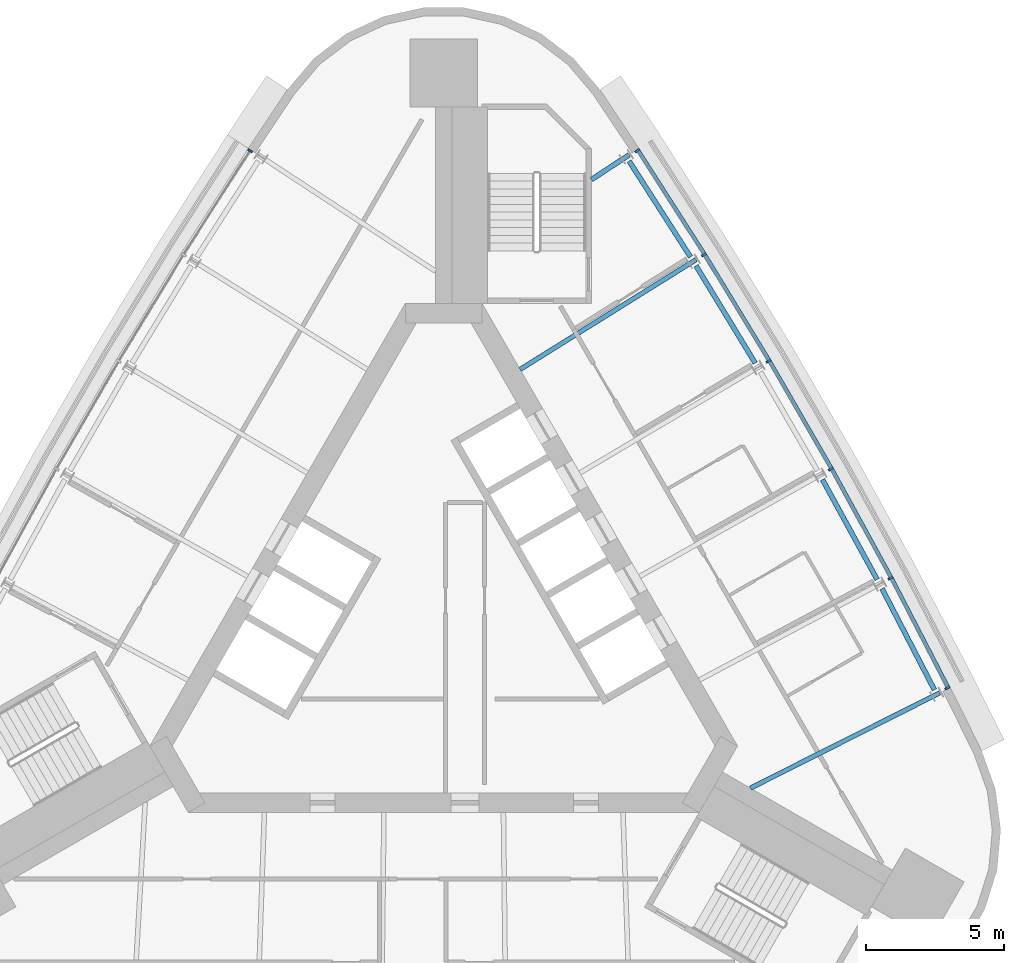
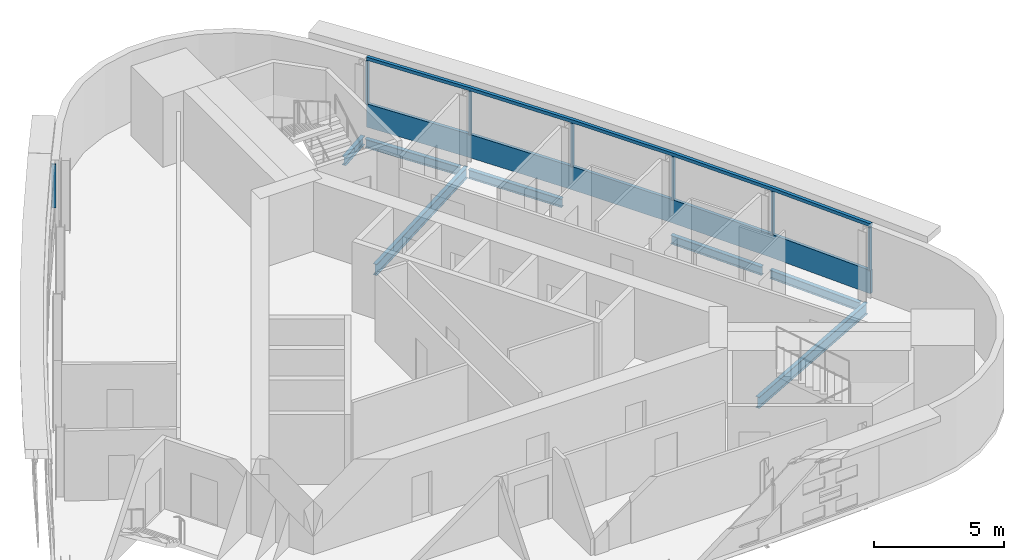
# One storey, part 4 of 10: 9 members, 7 beams, 2 elements without a shape of their own.
"""IFC4 building model written with IfcOpenShell, lengths in metres."""

from ifc_helpers import new_model, si_unit, direction, frame, origin, origin_2d, place, context, subcontext, project, spatial, polyline, rectangle, i_section, outline, extrude, material, material_profile, profile_set, type_object, element, aggregate, save


model = new_model("IFC4")

# Units and contexts
model_context = context("Model", 3, precision=1e-05, world=origin(), true_north=direction((0.0, 1.0)))
body_context = subcontext(model_context, "Body", "Model", "MODEL_VIEW")
ifc_project = project(units=[si_unit("LENGTHUNIT", "METRE"), si_unit("AREAUNIT", "SQUARE_METRE"), si_unit("VOLUMEUNIT", "CUBIC_METRE"), si_unit("PLANEANGLEUNIT", "RADIAN"), si_unit("MASSUNIT", "GRAM", prefix="KILO")], contexts=[model_context])

# Site, building, storey
site_placement = place(None, origin())
site = spatial("IfcSite", under=ifc_project, at=site_placement, CompositionType="ELEMENT")
building_placement = place(site_placement, origin())
building = spatial("IfcBuilding", under=site, at=building_placement, Name="Noor Cloister Tower", CompositionType="ELEMENT")
storey_placement = place(building_placement, frame((0.0, 0.0, 247.199951171875)))
storey = spatial("IfcBuildingStorey", under=building, at=storey_placement, Name="L64", CompositionType="ELEMENT", Elevation=247.199951171875)

# Curtain wall, member
ifc_material_1 = material(Name="Aluminium 6063-T6 anodised", Category="aluminium")
curtain_wall_type = type_object("IfcCurtainWallType", Name="Ribbon curtain wall, upper tower CW5", PredefinedType="NOTDEFINED", material=ifc_material_1)
curtain_wall_1_placement = place(storey_placement, origin())
curtain_wall_1 = element("IfcCurtainWall", 1, at=curtain_wall_1_placement, inside=storey, type_object=curtain_wall_type, Name="CW5 L64 NE run 3", PredefinedType="NOTDEFINED")
ifc_material_2 = material(Name="Aluminium 6063-T6 anodised", Category="aluminium")
member_type_1 = type_object("IfcMemberType", Name="Head transom CW5 150", PredefinedType="USERDEFINED", material=ifc_material_2)
member_1_placement = place(storey_placement, frame((0.0, 0.0, 3.150146484375)))
member_1 = element("IfcMember", 2, at=member_1_placement, type_object=member_type_1, Name="CW5 head transom", ObjectType="TRANSOM", PredefinedType="USERDEFINED", context=body_context, shape_type="SweptSolid", body=[
    extrude(outline(polyline([(18.301025390625, -2.417236328125), (16.232177734375, 1.578857421875), (14.072021484375, 5.5263671875), (11.822021484375, 9.423583984375), (9.4833984375, 13.267822265625), (7.05712890625, 17.0576171875), (6.939208984375, 16.982177734375), (9.364501953125, 13.19384765625), (11.70166015625, 9.35205078125), (13.949951171875, 5.457763671875), (16.1083984375, 1.51318359375), (18.1767578125, -2.4814453125), (18.301025390625, -2.417236328125)])), origin(), (0.0, 0.0, 1.0), 0.14990234375),
])

curtain_wall_2_placement = place(storey_placement, origin())
curtain_wall_2 = element("IfcCurtainWall", 3, at=curtain_wall_2_placement, inside=storey, type_object=curtain_wall_type, Name="CW5 L64 NW run 1", PredefinedType="NOTDEFINED")
ifc_material_3 = material(Name="Aluminium 6063-T6 anodised", Category="aluminium")
ifc_material_profile_1 = material_profile(ifc_material_3, rectangle(XDim=0.179931640625, YDim=0.070068359375, at=origin_2d()), Name="180 x 70 mullion")
ifc_profile_set_1 = profile_set([ifc_material_profile_1], Name="Aluminium 6063-T6 anodised")
member_type_2 = type_object("IfcMemberType", Name="Mullion CW5 70 x 180", PredefinedType="MULLION", material=ifc_profile_set_1)
member_2_placement = place(storey_placement, frame((-6.991943359375, 16.974365234375, 1.10009765625), z_axis=(0.0, 0.0, 1.0), x_axis=(0.842196352874, -0.539170940617, 0.0)))
member_2 = element("IfcMember", 4, at=member_2_placement, type_object=member_type_2, Name="CW5 mullion 1", PredefinedType="MULLION", context=body_context, shape_type="SweptSolid", body=[
    extrude(rectangle(XDim=0.179931640625, YDim=0.070068359375, at=origin_2d()), origin(), (0.0, 0.0, 1.0), 2.050048828125),
])
aggregate(curtain_wall_2, [member_2])

# Member
member_3_placement = place(storey_placement, frame((18.196044921875, -2.43212890625, 1.10009765625), z_axis=(0.0, 0.0, 1.0), x_axis=(-0.888033907993, -0.459777966255, 0.0)))
member_3 = element("IfcMember", 5, at=member_3_placement, type_object=member_type_2, Name="CW5 mullion 1", PredefinedType="MULLION", context=body_context, shape_type="SweptSolid", body=[
    extrude(rectangle(XDim=0.179931640625, YDim=0.070068359375, at=origin_2d()), origin(), (0.0, 0.0, 1.0), 2.050048828125),
])

member_4_placement = place(storey_placement, frame((16.143798828125, 1.531982421875, 1.10009765625), z_axis=(0.0, 0.0, 1.0), x_axis=(-0.882705052663, -0.469927430572, 0.0)))
member_4 = element("IfcMember", 6, at=member_4_placement, type_object=member_type_2, Name="CW5 mullion 2", PredefinedType="MULLION", context=body_context, shape_type="SweptSolid", body=[
    extrude(rectangle(XDim=0.179931640625, YDim=0.070068359375, at=origin_2d()), origin(), (0.0, 0.0, 1.0), 2.050048828125),
])

member_5_placement = place(storey_placement, frame((13.98486328125, 5.4775390625, 1.10009765625), z_axis=(0.0, 0.0, 1.0), x_axis=(-0.871700081674, -0.490039761253, 0.0)))
member_5 = element("IfcMember", 7, at=member_5_placement, type_object=member_type_2, Name="CW5 mullion 3", PredefinedType="MULLION", context=body_context, shape_type="SweptSolid", body=[
    extrude(rectangle(XDim=0.179931640625, YDim=0.070068359375, at=origin_2d()), origin(), (0.0, 0.0, 1.0), 2.050048828125),
])

member_6_placement = place(storey_placement, frame((11.736083984375, 9.37255859375, 1.10009765625), z_axis=(0.0, 0.0, 1.0), x_axis=(-0.860236922947, -0.509894534585, 0.0)))
member_6 = element("IfcMember", 8, at=member_6_placement, type_object=member_type_2, Name="CW5 mullion 4", PredefinedType="MULLION", context=body_context, shape_type="SweptSolid", body=[
    extrude(rectangle(XDim=0.179931640625, YDim=0.070068359375, at=origin_2d()), origin(), (0.0, 0.0, 1.0), 2.050048828125),
])

member_7_placement = place(storey_placement, frame((9.3984375, 13.215087890625, 1.10009765625), z_axis=(0.0, 0.0, 1.0), x_axis=(-0.848321619142, -0.529481284369, 0.0)))
member_7 = element("IfcMember", 9, at=member_7_placement, type_object=member_type_2, Name="CW5 mullion 5", PredefinedType="MULLION", context=body_context, shape_type="SweptSolid", body=[
    extrude(rectangle(XDim=0.179931640625, YDim=0.070068359375, at=origin_2d()), origin(), (0.0, 0.0, 1.0), 2.050048828125),
])

member_8_placement = place(storey_placement, frame((6.991943359375, 16.974365234375, 1.10009765625), z_axis=(0.0, 0.0, 1.0), x_axis=(-0.842196352874, -0.539170940617, 0.0)))
member_8 = element("IfcMember", 10, at=member_8_placement, type_object=member_type_2, Name="CW5 mullion 6", PredefinedType="MULLION", context=body_context, shape_type="SweptSolid", body=[
    extrude(rectangle(XDim=0.179931640625, YDim=0.070068359375, at=origin_2d()), origin(), (0.0, 0.0, 1.0), 2.050048828125),
])

# Beams
ifc_material_4 = material(Name="Steel ASTM A992 Gr 50", Category="steel")
ifc_material_profile_2 = material_profile(ifc_material_4, i_section(OverallWidth=0.177978515625, OverallDepth=0.406005859375, WebThickness=0.0078125, FlangeThickness=0.0126953125, FilletRadius=0.01025390625, at=origin_2d()), Name="W410x60")
ifc_profile_set_2 = profile_set([ifc_material_profile_2], Name="Steel ASTM A992 Gr 50")
beam_type_1 = type_object("IfcBeamType", Name="Radial beam W410x60", PredefinedType="BEAM", material=ifc_profile_set_2)
beam_1_placement = place(storey_placement, frame((6.6943359375, 16.819580078125, -0.40283203125), z_axis=(-0.835912235929, -0.548863128497, 0.0), x_axis=(0.548863128497, -0.835912235929, 0.0)))
element("IfcBeam", 11, at=beam_1_placement, inside=storey, type_object=beam_type_1, Name="Radial beam NE 06 L64", PredefinedType="BEAM", context=body_context, shape_type="SweptSolid", body=[
    extrude(i_section(OverallWidth=0.177978515625, OverallDepth=0.406005859375, WebThickness=0.0078125, FlangeThickness=0.0126953125, FilletRadius=0.01025390625, at=origin_2d()), origin(), (0.0, 0.0, 1.0), 1.625244140625),
])
ifc_material_5 = material(Name="Steel ASTM A992 Gr 50", Category="steel")
ifc_material_profile_3 = material_profile(ifc_material_5, i_section(OverallWidth=0.166015625, OverallDepth=0.528076171875, WebThickness=0.009765625, FlangeThickness=0.013671875, FilletRadius=0.0126953125, at=origin_2d()), Name="W530x74")
ifc_profile_set_3 = profile_set([ifc_material_profile_3], Name="Steel ASTM A992 Gr 50")
beam_type_2 = type_object("IfcBeamType", Name="Radial beam W530x74", PredefinedType="BEAM", material=ifc_profile_set_3)
beam_2_placement = place(storey_placement, frame((17.913330078125, -2.6123046875, -0.4638671875), z_axis=(-0.893249533682, -0.44956119781, 0.0), x_axis=(0.44956119781, -0.893249533682, 0.0)))
element("IfcBeam", 12, at=beam_2_placement, inside=storey, type_object=beam_type_2, Name="Radial beam NE 01 L64", PredefinedType="BEAM", context=body_context, shape_type="SweptSolid", body=[
    extrude(i_section(OverallWidth=0.166015625, OverallDepth=0.528076171875, WebThickness=0.009765625, FlangeThickness=0.013671875, FilletRadius=0.0126953125, at=origin_2d()), origin(), (0.0, 0.0, 1.0), 7.649169921875),
])
beam_3_placement = place(storey_placement, frame((9.115234375, 13.0380859375, -0.4638671875), z_axis=(-0.848325964039, -0.529474323019, 0.0), x_axis=(0.529474323019, -0.848325964039, 0.0)))
element("IfcBeam", 13, at=beam_3_placement, inside=storey, type_object=beam_type_2, Name="Radial beam NE 05 L64", PredefinedType="BEAM", context=body_context, shape_type="SweptSolid", body=[
    extrude(i_section(OverallWidth=0.166015625, OverallDepth=0.528076171875, WebThickness=0.009765625, FlangeThickness=0.013671875, FilletRadius=0.0126953125, at=origin_2d()), origin(), (0.0, 0.0, 1.0), 7.4892578125),
])

# Member
ifc_material_6 = material(Name="Aluminium 6063-T6 anodised", Category="aluminium")
member_type_3 = type_object("IfcMemberType", Name="Sill transom CW5 1100", PredefinedType="USERDEFINED", material=ifc_material_6)
member_9_placement = place(storey_placement, origin())
member_9 = element("IfcMember", 14, at=member_9_placement, type_object=member_type_3, Name="CW5 sill transom", ObjectType="TRANSOM", PredefinedType="USERDEFINED", context=body_context, shape_type="SweptSolid", body=[
    extrude(outline(polyline([(18.301025390625, -2.417236328125), (16.232177734375, 1.578857421875), (14.072021484375, 5.5263671875), (11.822021484375, 9.423583984375), (9.4833984375, 13.267822265625), (7.05712890625, 17.0576171875), (6.939208984375, 16.982177734375), (9.364501953125, 13.19384765625), (11.70166015625, 9.35205078125), (13.949951171875, 5.457763671875), (16.1083984375, 1.51318359375), (18.1767578125, -2.4814453125), (18.301025390625, -2.417236328125)])), origin(), (0.0, 0.0, 1.0), 1.10009765625),
])

aggregate(curtain_wall_1, [member_3, member_4, member_5, member_6, member_7, member_8, member_9, member_1])

# Beams
ifc_material_7 = material(Name="Steel ASTM A992 Gr 50", Category="steel")
ifc_material_profile_4 = material_profile(ifc_material_7, i_section(OverallWidth=0.177978515625, OverallDepth=0.406005859375, WebThickness=0.0078125, FlangeThickness=0.0126953125, FilletRadius=0.01025390625, at=origin_2d()), Name="W410x60")
ifc_profile_set_4 = profile_set([ifc_material_profile_4], Name="Steel ASTM A992 Gr 50")
beam_type_3 = type_object("IfcBeamType", Name="Spandrel beam W410x60", PredefinedType="SPANDREL", material=ifc_profile_set_4)
beam_4_placement = place(storey_placement, frame((17.723876953125, -2.498779296875, -0.40283203125), z_axis=(-0.459773194778, 0.888036378401, 0.0), x_axis=(-0.888036378401, -0.459773194778, 0.0)))
element("IfcBeam", 15, at=beam_4_placement, inside=storey, type_object=beam_type_3, Name="Spandrel beam NE 01 L64", PredefinedType="SPANDREL", context=body_context, shape_type="SweptSolid", body=[
    extrude(i_section(OverallWidth=0.177978515625, OverallDepth=0.406005859375, WebThickness=0.0078125, FlangeThickness=0.0126953125, FilletRadius=0.01025390625, at=origin_2d()), origin(), (0.0, 0.0, 1.0), 4.1142578125),
])
beam_5_placement = place(storey_placement, frame((15.656982421875, 1.484130859375, -0.40283203125), z_axis=(-0.480020032196, 0.877257527007, 0.0), x_axis=(-0.877257527007, -0.480020032196, 0.0)))
element("IfcBeam", 16, at=beam_5_placement, inside=storey, type_object=beam_type_3, Name="Spandrel beam NE 02 L64", PredefinedType="SPANDREL", context=body_context, shape_type="SweptSolid", body=[
    extrude(i_section(OverallWidth=0.177978515625, OverallDepth=0.406005859375, WebThickness=0.0078125, FlangeThickness=0.0126953125, FilletRadius=0.01025390625, at=origin_2d()), origin(), (0.0, 0.0, 1.0), 4.114013671875),
])
for number, where, z_axis, x_axis, name in (
    (17, (11.251953125, 9.302490234375, -0.40283203125), (-0.519713490012, 0.854340616089, 0.0), (-0.854340616089, -0.519713490012, 0.0), "Spandrel beam NE 04 L64"),
    (18, (8.916259765625, 13.1337890625, -0.40283203125), (-0.539158091967, 0.842204578393, 0.0), (-0.842204578393, -0.539158091967, 0.0), "Spandrel beam NE 05 L64"),
):
    element("IfcBeam", number, at=place(storey_placement, frame(where, z_axis=z_axis, x_axis=x_axis)), inside=storey, type_object=beam_type_3, Name=name, PredefinedType="SPANDREL", context=body_context, shape_type="SweptSolid", body=[
        extrude(i_section(OverallWidth=0.177978515625, OverallDepth=0.406005859375, WebThickness=0.0078125, FlangeThickness=0.0126953125, FilletRadius=0.01025390625, at=origin_2d()), origin(), (0.0, 0.0, 1.0), 4.1142578125),
    ])

save(model, "model.ifc")
